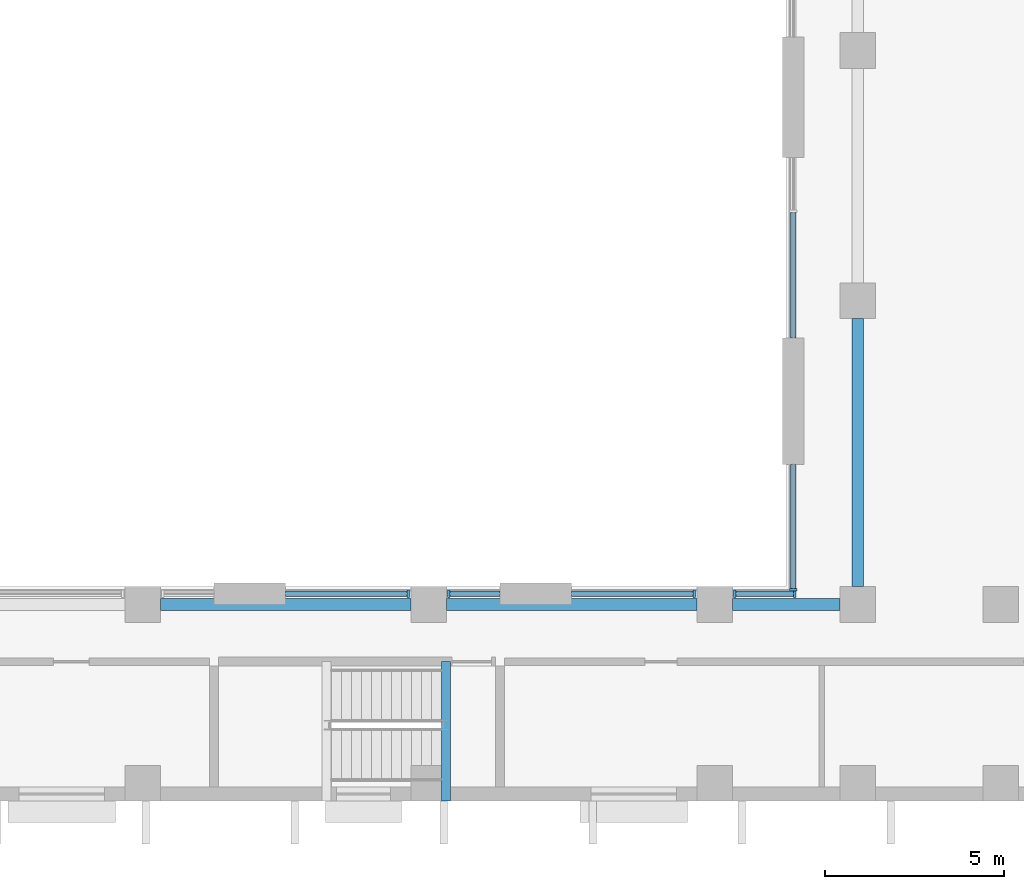
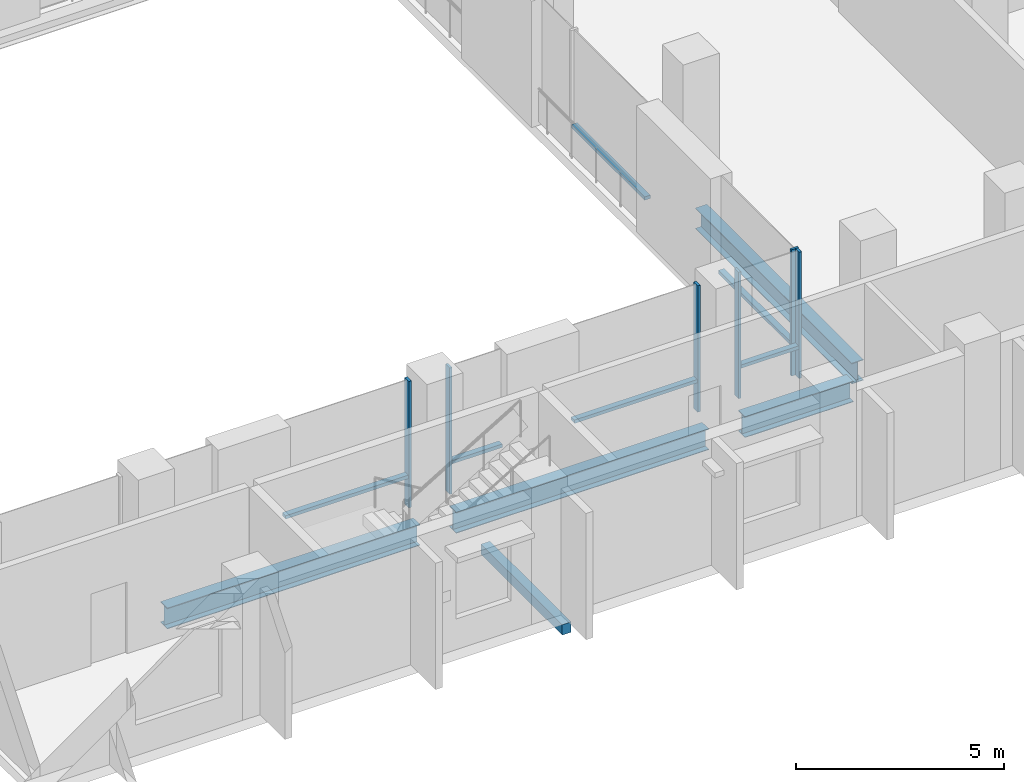
# One storey, part 3 of 25: 12 members, 5 beams, 6 elements without a shape of their own.
"""IFC4 building model written with IfcOpenShell, lengths in metres."""

from ifc_helpers import new_model, si_unit, direction, frame, origin, origin_2d, place, context, subcontext, project, spatial, rectangle, i_section, extrude, material, material_profile, profile_set, type_object, element, aggregate, save


model = new_model("IFC4")

# Units and contexts
model_context = context("Model", 3, precision=1e-05, world=origin(), true_north=direction((0.0, 1.0)))
body_context = subcontext(model_context, "Body", "Model", "MODEL_VIEW")
ifc_project = project(units=[si_unit("LENGTHUNIT", "METRE"), si_unit("AREAUNIT", "SQUARE_METRE"), si_unit("VOLUMEUNIT", "CUBIC_METRE"), si_unit("PLANEANGLEUNIT", "RADIAN"), si_unit("MASSUNIT", "GRAM", prefix="KILO")], contexts=[model_context])

# Site, building, storey
site_placement = place(None, origin())
site = spatial("IfcSite", under=ifc_project, at=site_placement, CompositionType="ELEMENT")
building_placement = place(site_placement, origin())
building = spatial("IfcBuilding", under=site, at=building_placement, Name="Vidyagriha Tower", CompositionType="ELEMENT")
storey_placement = place(building_placement, frame((0.0, 0.0, 18.0)))
storey = spatial("IfcBuildingStorey", under=building, at=storey_placement, Name="L04", CompositionType="ELEMENT", Elevation=18.0)

# Beams
ifc_material_1 = material(Name="Steel ASTM A992 Grade 50", Category="steel")
ifc_material_profile_1 = material_profile(ifc_material_1, i_section(OverallWidth=0.32373046875, OverallDepth=0.612060546875, WebThickness=0.0126953125, FlangeThickness=0.01904296875, at=origin_2d()), Name="W24X104")
ifc_profile_set_1 = profile_set([ifc_material_profile_1], Name="Steel ASTM A992 Grade 50")
beam_type_1 = type_object("IfcBeamType", Name="Atrium edge beam W24X104", PredefinedType="BEAM", material=ifc_profile_set_1)
for number, where, z_axis, x_axis, name in (
    (1, (2.5, -44.5, -0.60595703125), (1.0, 0.0, 0.0), (0.0, 1.0, 0.0), "st-beam-L04-AT04"),
    (2, (10.5, -44.5, -0.60595703125), (1.0, 0.0, 0.0), (0.0, 1.0, 0.0), "st-beam-L04-AT05"),
):
    element("IfcBeam", number, at=place(storey_placement, frame(where, z_axis=z_axis, x_axis=x_axis)), inside=storey, type_object=beam_type_1, Name=name, PredefinedType="BEAM", context=body_context, shape_type="SweptSolid", body=[
        extrude(i_section(OverallWidth=0.32373046875, OverallDepth=0.612060546875, WebThickness=0.0126953125, FlangeThickness=0.01904296875, at=origin_2d()), origin(), (0.0, 0.0, 1.0), 7.0),
    ])
beam_1_placement = place(storey_placement, frame((18.5, -44.5, -0.60595703125), z_axis=(1.0, 0.0, 0.0), x_axis=(0.0, 1.0, 0.0)))
element("IfcBeam", 3, at=beam_1_placement, inside=storey, type_object=beam_type_1, Name="st-beam-L04-AT06", PredefinedType="BEAM", context=body_context, shape_type="SweptSolid", body=[
    extrude(i_section(OverallWidth=0.32373046875, OverallDepth=0.612060546875, WebThickness=0.0126953125, FlangeThickness=0.01904296875, at=origin_2d()), origin(), (0.0, 0.0, 1.0), 3.0),
])
beam_2_placement = place(storey_placement, frame((22.0, -44.0, -0.60595703125), z_axis=(0.0, 1.0, 0.0), x_axis=(-1.0, 0.0, 0.0)))
element("IfcBeam", 4, at=beam_2_placement, inside=storey, type_object=beam_type_1, Name="st-beam-L04-AT16", PredefinedType="BEAM", context=body_context, shape_type="SweptSolid", body=[
    extrude(i_section(OverallWidth=0.32373046875, OverallDepth=0.612060546875, WebThickness=0.0126953125, FlangeThickness=0.01904296875, at=origin_2d()), origin(), (0.0, 0.0, 1.0), 7.5),
])

# Curtain wall, members
ifc_material_2 = material(Name="Aluminium and glass curtain wall", Category="aluminium")
curtain_wall_type = type_object("IfcCurtainWallType", Name="Atrium screen curtain wall", PredefinedType="USERDEFINED", material=ifc_material_2)
curtain_wall_1_placement = place(storey_placement, origin())
curtain_wall_1 = element("IfcCurtainWall", 5, at=curtain_wall_1_placement, inside=storey, type_object=curtain_wall_type, Name="CW6 atrium screen", ObjectType="UNITISED", PredefinedType="USERDEFINED")
ifc_material_3 = material(Name="Aluminium black anodised", Category="aluminium")
ifc_material_profile_2 = material_profile(ifc_material_3, rectangle(XDim=0.199951171875, YDim=0.070068359375, at=origin_2d()), Name="Mullion 70x200 black aluminium")
ifc_profile_set_2 = profile_set([ifc_material_profile_2], Name="Aluminium black anodised")
member_type_1 = type_object("IfcMemberType", Name="Mullion 70x200 black aluminium", PredefinedType="MULLION", material=ifc_profile_set_2)
member_1_placement = place(storey_placement, frame((20.2451171875, -44.199951171875, 0.0), z_axis=(0.0, 0.0, 1.0), x_axis=(0.0, -1.0, 0.0)))
member_1 = element("IfcMember", 6, at=member_1_placement, type_object=member_type_1, Name="CW6 mullion 1", PredefinedType="MULLION", context=body_context, shape_type="SweptSolid", body=[
    extrude(rectangle(XDim=0.199951171875, YDim=0.070068359375, at=origin_2d()), origin(), (0.0, 0.0, 1.0), 3.699951171875),
])
member_2_placement = place(storey_placement, frame((18.56494140625, -44.199951171875, 0.0), z_axis=(0.0, 0.0, 1.0), x_axis=(0.0, -1.0, 0.0)))
member_2 = element("IfcMember", 7, at=member_2_placement, type_object=member_type_1, Name="CW6 mullion 2", PredefinedType="MULLION", context=body_context, shape_type="SweptSolid", body=[
    extrude(rectangle(XDim=0.199951171875, YDim=0.070068359375, at=origin_2d()), origin(), (0.0, 0.0, 1.0), 3.699951171875),
])

# Curtain wall, member
curtain_wall_2_placement = place(storey_placement, origin())
curtain_wall_2 = element("IfcCurtainWall", 8, at=curtain_wall_2_placement, inside=storey, type_object=curtain_wall_type, Name="CW6 atrium screen", ObjectType="UNITISED", PredefinedType="USERDEFINED")
member_3_placement = place(storey_placement, frame((17.43505859375, -44.199951171875, 0.0), z_axis=(0.0, 0.0, 1.0), x_axis=(0.0, -1.0, 0.0)))
member_3 = element("IfcMember", 9, at=member_3_placement, type_object=member_type_1, Name="CW6 mullion 1", PredefinedType="MULLION", context=body_context, shape_type="SweptSolid", body=[
    extrude(rectangle(XDim=0.199951171875, YDim=0.070068359375, at=origin_2d()), origin(), (0.0, 0.0, 1.0), 3.699951171875),
])

curtain_wall_3_placement = place(storey_placement, origin())
curtain_wall_3 = element("IfcCurtainWall", 10, at=curtain_wall_3_placement, inside=storey, type_object=curtain_wall_type, Name="CW6 atrium screen", ObjectType="UNITISED", PredefinedType="USERDEFINED")
member_4_placement = place(storey_placement, frame((10.56494140625, -44.199951171875, 0.0), z_axis=(0.0, 0.0, 1.0), x_axis=(0.0, -1.0, 0.0)))
member_4 = element("IfcMember", 11, at=member_4_placement, type_object=member_type_1, Name="CW6 mullion 2", PredefinedType="MULLION", context=body_context, shape_type="SweptSolid", body=[
    extrude(rectangle(XDim=0.199951171875, YDim=0.070068359375, at=origin_2d()), origin(), (0.0, 0.0, 1.0), 3.699951171875),
])

curtain_wall_4_placement = place(storey_placement, origin())
curtain_wall_4 = element("IfcCurtainWall", 12, at=curtain_wall_4_placement, inside=storey, type_object=curtain_wall_type, Name="CW6 atrium screen", ObjectType="UNITISED", PredefinedType="USERDEFINED")
member_5_placement = place(storey_placement, frame((9.43505859375, -44.199951171875, 0.0), z_axis=(0.0, 0.0, 1.0), x_axis=(0.0, -1.0, 0.0)))
member_5 = element("IfcMember", 13, at=member_5_placement, type_object=member_type_1, Name="CW6 mullion 1", PredefinedType="MULLION", context=body_context, shape_type="SweptSolid", body=[
    extrude(rectangle(XDim=0.199951171875, YDim=0.070068359375, at=origin_2d()), origin(), (0.0, 0.0, 1.0), 3.699951171875),
])

curtain_wall_5_placement = place(storey_placement, origin())
curtain_wall_5 = element("IfcCurtainWall", 14, at=curtain_wall_5_placement, inside=storey, type_object=curtain_wall_type, Name="CW6 atrium screen", ObjectType="UNITISED", PredefinedType="USERDEFINED")
member_6_placement = place(storey_placement, frame((20.199951171875, -44.0849609375, 0.0)))
member_6 = element("IfcMember", 15, at=member_6_placement, type_object=member_type_1, Name="CW6 mullion 2", PredefinedType="MULLION", context=body_context, shape_type="SweptSolid", body=[
    extrude(rectangle(XDim=0.199951171875, YDim=0.070068359375, at=origin_2d()), origin(), (0.0, 0.0, 1.0), 3.699951171875),
])

# Beam
ifc_material_4 = material(Name="Concrete C40/50", Category="concrete")
ifc_material_profile_3 = material_profile(ifc_material_4, rectangle(XDim=0.25, YDim=0.300048828125, at=origin_2d()), Name="Stair landing bearing beam 250x300")
ifc_profile_set_3 = profile_set([ifc_material_profile_3], Name="Concrete C40/50")
beam_type_2 = type_object("IfcBeamType", Name="Stair landing bearing beam 250x300", PredefinedType="BEAM", material=ifc_profile_set_3)
beam_3_placement = place(storey_placement, frame((10.47998046875, -50.0, -0.449951171875), z_axis=(0.0, 1.0, 0.0), x_axis=(-1.0, 0.0, 0.0)))
element("IfcBeam", 16, at=beam_3_placement, inside=storey, type_object=beam_type_2, Name="PS4 floor landing bearing beam L04", PredefinedType="BEAM", context=body_context, shape_type="SweptSolid", body=[
    extrude(rectangle(XDim=0.25, YDim=0.300048828125, at=origin_2d()), origin(), (0.0, 0.0, 1.0), 3.89990234375),
])

# Member
ifc_material_5 = material(Name="Aluminium black anodised", Category="aluminium")
ifc_material_profile_4 = material_profile(ifc_material_5, rectangle(XDim=0.159912109375, YDim=0.10009765625, at=origin_2d()), Name="Transom 100x160 black aluminium")
ifc_profile_set_4 = profile_set([ifc_material_profile_4], Name="Aluminium black anodised")
member_type_2 = type_object("IfcMemberType", Name="Transom 100x160 black aluminium", PredefinedType="USERDEFINED", material=ifc_profile_set_4)
member_7_placement = place(storey_placement, frame((20.2099609375, -44.199951171875, 0.89990234375), z_axis=(-1.0, 0.0, 0.0), x_axis=(0.0, -1.0, 0.0)))
member_7 = element("IfcMember", 17, at=member_7_placement, type_object=member_type_2, Name="CW6 transom 1.1", ObjectType="TRANSOM", PredefinedType="USERDEFINED", context=body_context, shape_type="SweptSolid", body=[
    extrude(rectangle(XDim=0.159912109375, YDim=0.10009765625, at=origin_2d()), origin(), (0.0, 0.0, 1.0), 1.60986328125),
])

aggregate(curtain_wall_1, [member_1, member_2, member_7])

member_8_placement = place(storey_placement, frame((17.39990234375, -44.199951171875, 0.89990234375), z_axis=(-1.0, 0.0, 0.0), x_axis=(0.0, -1.0, 0.0)))
member_8 = element("IfcMember", 18, at=member_8_placement, type_object=member_type_2, Name="CW6 transom 1.1", ObjectType="TRANSOM", PredefinedType="USERDEFINED", context=body_context, shape_type="SweptSolid", body=[
    extrude(rectangle(XDim=0.159912109375, YDim=0.10009765625, at=origin_2d()), origin(), (0.0, 0.0, 1.0), 3.39990234375),
])

aggregate(curtain_wall_2, [member_3, member_8])

member_9_placement = place(storey_placement, frame((12.0, -44.199951171875, 0.89990234375), z_axis=(-1.0, 0.0, 0.0), x_axis=(0.0, -1.0, 0.0)))
member_9 = element("IfcMember", 19, at=member_9_placement, type_object=member_type_2, Name="CW6 transom 1.1", ObjectType="TRANSOM", PredefinedType="USERDEFINED", context=body_context, shape_type="SweptSolid", body=[
    extrude(rectangle(XDim=0.159912109375, YDim=0.10009765625, at=origin_2d()), origin(), (0.0, 0.0, 1.0), 1.39990234375),
])

aggregate(curtain_wall_3, [member_4, member_9])

member_10_placement = place(storey_placement, frame((9.39990234375, -44.199951171875, 0.89990234375), z_axis=(-1.0, 0.0, 0.0), x_axis=(0.0, -1.0, 0.0)))
member_10 = element("IfcMember", 20, at=member_10_placement, type_object=member_type_2, Name="CW6 transom 1.1", ObjectType="TRANSOM", PredefinedType="USERDEFINED", context=body_context, shape_type="SweptSolid", body=[
    extrude(rectangle(XDim=0.159912109375, YDim=0.10009765625, at=origin_2d()), origin(), (0.0, 0.0, 1.0), 3.39990234375),
])

aggregate(curtain_wall_4, [member_5, member_10])

# Curtain wall, member
curtain_wall_6_placement = place(storey_placement, origin())
curtain_wall_6 = element("IfcCurtainWall", 21, at=curtain_wall_6_placement, inside=storey, type_object=curtain_wall_type, Name="CW6 atrium screen", ObjectType="UNITISED", PredefinedType="USERDEFINED")
member_11_placement = place(storey_placement, frame((20.199951171875, -33.534912109375, 0.89990234375), z_axis=(0.0, -1.0, 0.0), x_axis=(1.0, 0.0, 0.0)))
member_11 = element("IfcMember", 22, at=member_11_placement, type_object=member_type_2, Name="CW6 transom 2.1", ObjectType="TRANSOM", PredefinedType="USERDEFINED", context=body_context, shape_type="SweptSolid", body=[
    extrude(rectangle(XDim=0.159912109375, YDim=0.10009765625, at=origin_2d()), origin(), (0.0, 0.0, 1.0), 3.505126953125),
])
aggregate(curtain_wall_6, [member_11])

# Member
member_12_placement = place(storey_placement, frame((20.199951171875, -40.580078125, 0.89990234375), z_axis=(0.0, -1.0, 0.0), x_axis=(1.0, 0.0, 0.0)))
member_12 = element("IfcMember", 23, at=member_12_placement, type_object=member_type_2, Name="CW6 transom 1.1", ObjectType="TRANSOM", PredefinedType="USERDEFINED", context=body_context, shape_type="SweptSolid", body=[
    extrude(rectangle(XDim=0.159912109375, YDim=0.10009765625, at=origin_2d()), origin(), (0.0, 0.0, 1.0), 3.469970703125),
])

aggregate(curtain_wall_5, [member_6, member_12])

save(model, "model.ifc")
